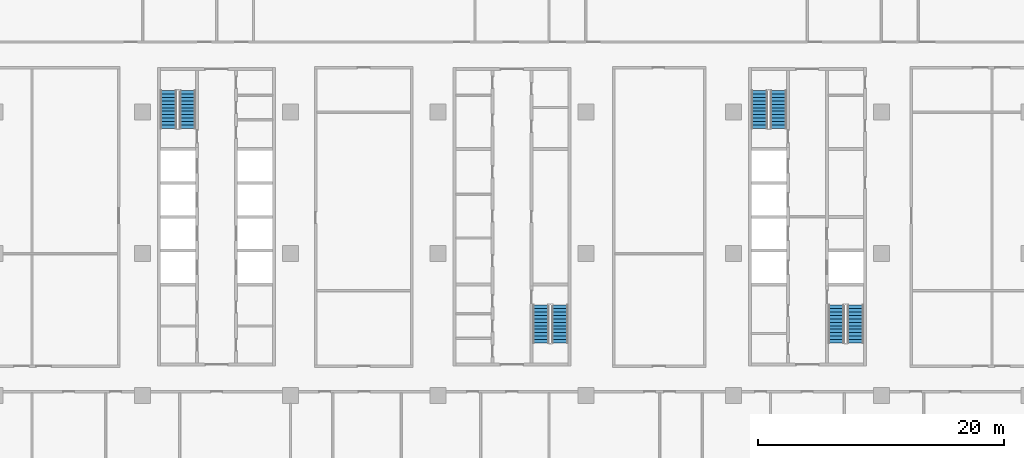
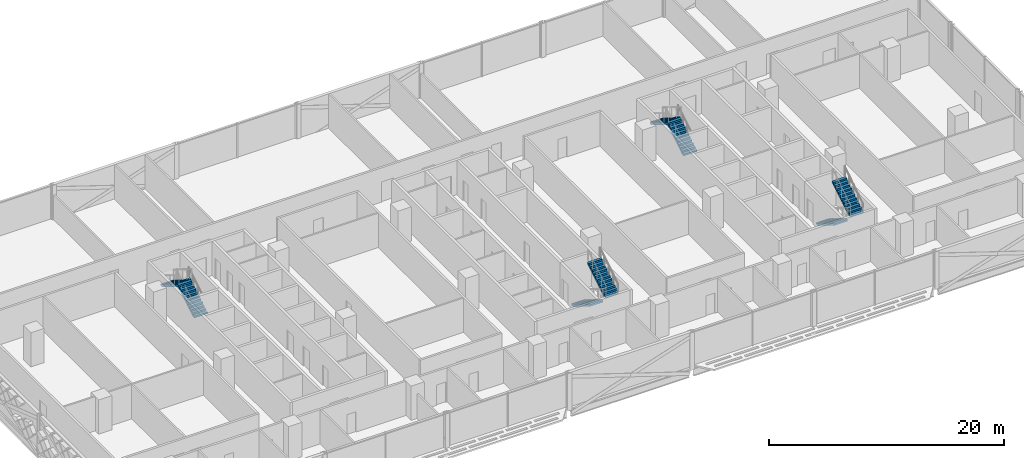
# One storey, part 19 of 29: 8 stair flights, 4 elements without a shape of their own.
"""IFC4 building model written with IfcOpenShell, lengths in metres."""

import ifcopenshell
import ifcopenshell.guid

model = None  # the IFC model being written
_history = None  # IfcOwnerHistory: only IFC2X3 demands one
_inside = {}  # id of a spatial element -> (the spatial element, [elements in it])
_under = {}  # id of a project, library or spatial element -> (it, [spatial elements below it])
_declared = {}  # id of a project -> (the project, [libraries it declares])
_typed = {}  # id of a type object -> (the type object, [elements of that type])
_made_of = {}  # id of a material, layer set ... -> (it, [elements and type objects made of it])


def new_model(schema):
    """Start an empty IFC model of exactly this schema.

    Asked for "IFC4X3", IfcOpenShell would pick the latest addendum, in which some entities
    have other attributes; the version numbers below select the first issue.
    IFC2X3 requires an IfcOwnerHistory on every rooted entity: one is made here for all.
    """
    global model, _history
    if schema == "IFC4X3":
        model = ifcopenshell.file(schema_version=(4, 3, 0, 0))
    else:
        model = ifcopenshell.file(schema=schema)
    _inside.clear()
    _under.clear()
    _declared.clear()
    _typed.clear()
    _made_of.clear()
    _history = None
    if model.schema == "IFC2X3":
        org = make("IfcOrganization", Name="unknown")
        user = make(
            "IfcPersonAndOrganization",
            ThePerson=make("IfcPerson", FamilyName="unknown"),
            TheOrganization=org,
        )
        app = make(
            "IfcApplication",
            ApplicationDeveloper=org,
            Version="unknown",
            ApplicationFullName="unknown",
            ApplicationIdentifier="unknown",
        )
        _history = make(
            "IfcOwnerHistory",
            OwningUser=user,
            OwningApplication=app,
            ChangeAction="ADDED",
            CreationDate=0,
        )
    return model


def make(cls, **values):
    """One entity of the class cls with the attributes given. An attribute that is None is left unset."""
    return model.create_entity(
        cls, **{name: value for name, value in values.items() if value is not None}
    )


def rooted(cls, **values):
    """An entity with a GlobalId (a new one), such as an element, a storey or a relation."""
    return make(cls, GlobalId=ifcopenshell.guid.new(), OwnerHistory=_history, **values)


def si_unit(unit_type, name, prefix=None):
    """IfcSIUnit, for example si_unit("LENGTHUNIT", "METRE", prefix="MILLI")."""
    return make("IfcSIUnit", UnitType=unit_type, Prefix=prefix, Name=name)


def assignment(units):
    """IfcUnitAssignment: the units of a project."""
    return None if units is None else make("IfcUnitAssignment", Units=units)


def point(xyz):
    """IfcCartesianPoint."""
    return None if xyz is None else make("IfcCartesianPoint", Coordinates=xyz)


def direction(xyz):
    """IfcDirection."""
    return None if xyz is None else make("IfcDirection", DirectionRatios=xyz)


def frame(location, z_axis=None, x_axis=None):
    """IfcAxis2Placement3D, a coordinate frame: its origin and axes. An axis left out is left unset."""
    return make(
        "IfcAxis2Placement3D",
        Location=point(location),
        Axis=direction(z_axis),
        RefDirection=direction(x_axis),
    )


def origin():
    """The frame at (0, 0, 0) with its axes left unset."""
    return frame((0.0, 0.0, 0.0))


def place(relative_to, where):
    """IfcLocalPlacement: puts the frame where relative to a parent placement (None: the world)."""
    return make(
        "IfcLocalPlacement", PlacementRelTo=relative_to, RelativePlacement=where
    )


def context(
    kind, dimensions, precision=None, world=None, true_north=None, identifier=None
):
    """IfcGeometricRepresentationContext, for example the 3D "Model" context."""
    return make(
        "IfcGeometricRepresentationContext",
        ContextIdentifier=identifier,
        ContextType=kind,
        CoordinateSpaceDimension=dimensions,
        Precision=precision,
        WorldCoordinateSystem=world,
        TrueNorth=true_north,
    )


def subcontext(parent, identifier, kind, view, scale=None):
    """IfcGeometricRepresentationSubContext, for example "Body" below "Model"."""
    return make(
        "IfcGeometricRepresentationSubContext",
        ContextIdentifier=identifier,
        ContextType=kind,
        ParentContext=parent,
        TargetScale=scale,
        TargetView=view,
    )


def project(units=None, contexts=None):
    """IfcProject with its units and contexts."""
    return rooted(
        "IfcProject",
        Name="project",
        RepresentationContexts=contexts,
        UnitsInContext=assignment(units),
    )


def spatial(cls, under=None, at=None, **own):
    """A site, building, storey or space (cls), placed at a placement, below another one or the project."""
    s = rooted(cls, ObjectPlacement=at, **own)
    if under is not None:
        _under.setdefault(under.id(), (under, []))[1].append(s)
    return s


def polyline(points):
    """IfcPolyline through the points."""
    return make("IfcPolyline", Points=[point(p) for p in points])


def outline(outer, holes=None, kind="AREA"):
    """IfcArbitraryClosedProfileDef: a profile drawn as a closed curve; with holes, ...WithVoids."""
    if holes is None:
        return make("IfcArbitraryClosedProfileDef", ProfileType=kind, OuterCurve=outer)
    return make(
        "IfcArbitraryProfileDefWithVoids",
        ProfileType=kind,
        OuterCurve=outer,
        InnerCurves=holes,
    )


def extrude(swept, where, along, depth):
    """IfcExtrudedAreaSolid: the profile swept, set in the frame where, extruded along a direction by depth."""
    return make(
        "IfcExtrudedAreaSolid",
        SweptArea=swept,
        Position=where,
        ExtrudedDirection=direction(along),
        Depth=depth,
    )


def shape(context_of_items, identifier, shape_type, items):
    """IfcShapeRepresentation: the items that make up one representation, for example the "Body"."""
    return make(
        "IfcShapeRepresentation",
        ContextOfItems=context_of_items,
        RepresentationIdentifier=identifier,
        RepresentationType=shape_type,
        Items=items,
    )


def material(Name=None, Category=None):
    """IfcMaterial."""
    return make("IfcMaterial", Name=Name, Category=Category)


def made_of(thing, what):
    """Note that an element or type object is made of a material, layer set ...; save() writes the relation."""
    if what is not None:
        _made_of.setdefault(what.id(), (what, []))[1].append(thing)
    return thing


def type_object(cls, material=None, **own):
    """A type object (cls), such as IfcWallType, which elements share."""
    return made_of(rooted(cls, **own), material)


def element(
    cls,
    number,
    at=None,
    inside=None,
    cuts=None,
    type_object=None,
    material=None,
    context=None,
    identifier="Body",
    shape_type=None,
    held_by="IfcProductDefinitionShape",
    body=None,
    shapes=None,
    **own,
):
    """One element of the class cls, such as IfcWall. Its Tag is "e" and its number.

    at: its placement. inside: the storey or other place that contains it. cuts: it is an
    opening in that element (IfcRelVoidsElement). A single representation is given by context,
    identifier, shape_type and body (its items); several are given by shapes. held_by: the class
    of the entity that holds the representations. save() writes the other relations.
    """
    e = rooted(cls, Tag="e%d" % number, ObjectPlacement=at, **own)
    if body is not None:
        shapes = [shape(context, identifier, shape_type, body)]
    if shapes is not None:
        e.Representation = make(held_by, Representations=shapes)
    if inside is not None:
        _inside.setdefault(inside.id(), (inside, []))[1].append(e)
    if cuts is not None:
        rooted(
            "IfcRelVoidsElement", RelatingBuildingElement=cuts, RelatedOpeningElement=e
        )
    if type_object is not None:
        _typed.setdefault(type_object.id(), (type_object, []))[1].append(e)
    return made_of(e, material)


def aggregate(whole, parts):
    """IfcRelAggregates: a whole, such as a stair, and the parts it consists of."""
    return rooted("IfcRelAggregates", RelatingObject=whole, RelatedObjects=parts)


def save(model, path):
    """Write the relations noted so far, then the file.

    IfcRelAggregates (storeys below a building ...), IfcRelContainedInSpatialStructure (elements
    in a storey), IfcRelDefinesByType, IfcRelAssociatesMaterial and IfcRelDeclares: one each for
    every whole, place, type object, material and project.
    """
    for whole, parts in _under.values():
        aggregate(whole, parts)
    for where, things in _inside.values():
        rooted(
            "IfcRelContainedInSpatialStructure",
            RelatedElements=things,
            RelatingStructure=where,
        )
    for kind, things in _typed.values():
        rooted("IfcRelDefinesByType", RelatedObjects=things, RelatingType=kind)
    for what, things in _made_of.values():
        rooted("IfcRelAssociatesMaterial", RelatedObjects=things, RelatingMaterial=what)
    for by, libraries in _declared.values():
        rooted("IfcRelDeclares", RelatingContext=by, RelatedDefinitions=libraries)
    model.write(path)


model = new_model("IFC4")

# Units and contexts
model_context = context("Model", 3, precision=1e-05, world=origin(), true_north=direction((0.0, 1.0)))
body_context = subcontext(model_context, "Body", "Model", "MODEL_VIEW")
ifc_project = project(units=[si_unit("LENGTHUNIT", "METRE"), si_unit("AREAUNIT", "SQUARE_METRE"), si_unit("VOLUMEUNIT", "CUBIC_METRE"), si_unit("PLANEANGLEUNIT", "RADIAN"), si_unit("MASSUNIT", "GRAM", prefix="KILO")], contexts=[model_context])

# Site, building, storey
site_placement = place(None, origin())
site = spatial("IfcSite", under=ifc_project, at=site_placement, CompositionType="ELEMENT")
building_placement = place(site_placement, origin())
building = spatial("IfcBuilding", under=site, at=building_placement, Name="Mahtab Terrace Research Tower", CompositionType="ELEMENT")
storey_placement = place(building_placement, frame((0.0, 0.0, 150.699951171875)))
storey = spatial("IfcBuildingStorey", under=building, at=storey_placement, Name="L35", CompositionType="ELEMENT", Elevation=150.699951171875)

# Stair, stair flights
ifc_material_1 = material(Name="Exit stair half-turn")
stair_type = type_object("IfcStairType", Name="Exit stair half-turn", PredefinedType="HALF_TURN_STAIR", material=ifc_material_1)
stair_1_placement = place(storey_placement, origin())
stair_1 = element("IfcStair", 1, at=stair_1_placement, inside=storey, type_object=stair_type, Name="L35 Protected exit stair ST1", PredefinedType="HALF_TURN_STAIR")
ifc_material_2 = material(Name="Concrete C40/50", Category="concrete")
stair_flight_type = type_object("IfcStairFlightType", Name="Exit stair flight 1300", PredefinedType="STRAIGHT", material=ifc_material_2)
stair_flight_1_placement = place(storey_placement, frame((-26.35009765625, 10.175048828125, 0.0), z_axis=(0.0, 0.0, 1.0), x_axis=(0.0, 1.0, 0.0)))
stair_flight_1 = element("IfcStairFlight", 2, at=stair_flight_1_placement, type_object=stair_flight_type, Name="ST1 flight 1", NumberOfRisers=12, NumberOfTreads=11, PredefinedType="STRAIGHT", RiserHeight=0.170833333, TreadLength=0.28, context=body_context, shape_type="SweptSolid", body=[
    extrude(outline(polyline([(0.0, 0.0), (0.0, 0.1708984375), (0.280029296875, 0.1708984375), (0.280029296875, 0.341552734375), (0.56005859375, 0.341552734375), (0.56005859375, 0.512451171875), (0.840087890625, 0.512451171875), (0.840087890625, 0.683349609375), (1.1201171875, 0.683349609375), (1.1201171875, 0.854248046875), (1.39990234375, 0.854248046875), (1.39990234375, 1.02490234375), (1.679931640625, 1.02490234375), (1.679931640625, 1.19580078125), (1.9599609375, 1.19580078125), (1.9599609375, 1.36669921875), (2.239990234375, 1.36669921875), (2.239990234375, 1.53759765625), (2.52001953125, 1.53759765625), (2.52001953125, 1.708251953125), (2.800048828125, 1.708251953125), (2.800048828125, 1.879150390625), (3.080078125, 1.879150390625), (3.080078125, 2.050048828125), (3.080078125, 1.70361328125), (0.287841796875, 0.0), (0.0, 0.0)])), frame((0.0, 0.64990234375, 0.0), z_axis=(0.0, -1.0, 0.0), x_axis=(1.0, 0.0, 0.0)), (0.0, 0.0, 1.0), 1.300048828125),
])
stair_flight_2_placement = place(storey_placement, frame((-27.89990234375, 13.2548828125, 2.050048828125), z_axis=(0.0, 0.0, 1.0), x_axis=(0.0, -1.0, 0.0)))
stair_flight_2 = element("IfcStairFlight", 3, at=stair_flight_2_placement, type_object=stair_flight_type, Name="ST1 flight 2", NumberOfRisers=12, NumberOfTreads=11, PredefinedType="STRAIGHT", RiserHeight=0.170833333, TreadLength=0.28, context=body_context, shape_type="SweptSolid", body=[
    extrude(outline(polyline([(0.0, 0.0), (0.0, 0.1708984375), (0.280029296875, 0.1708984375), (0.280029296875, 0.341552734375), (0.56005859375, 0.341552734375), (0.56005859375, 0.512451171875), (0.840087890625, 0.512451171875), (0.840087890625, 0.683349609375), (1.1201171875, 0.683349609375), (1.1201171875, 0.854248046875), (1.39990234375, 0.854248046875), (1.39990234375, 1.02490234375), (1.679931640625, 1.02490234375), (1.679931640625, 1.19580078125), (1.9599609375, 1.19580078125), (1.9599609375, 1.36669921875), (2.239990234375, 1.36669921875), (2.239990234375, 1.53759765625), (2.52001953125, 1.53759765625), (2.52001953125, 1.708251953125), (2.800048828125, 1.708251953125), (2.800048828125, 1.879150390625), (3.080078125, 1.879150390625), (3.080078125, 2.050048828125), (3.080078125, 1.70361328125), (0.287841796875, 0.0), (0.0, 0.0)])), frame((0.0, 0.64990234375, 0.0), z_axis=(0.0, -1.0, 0.0), x_axis=(1.0, 0.0, 0.0)), (0.0, 0.0, 1.0), 1.300048828125),
])
aggregate(stair_1, [stair_flight_1, stair_flight_2])

stair_2_placement = place(storey_placement, origin())
stair_2 = element("IfcStair", 4, at=stair_2_placement, inside=storey, type_object=stair_type, Name="L35 Protected exit stair ST2", PredefinedType="HALF_TURN_STAIR")
stair_flight_3_placement = place(storey_placement, frame((2.35009765625, -4.175048828125, 0.0), z_axis=(0.0, 0.0, 1.0), x_axis=(0.0, -1.0, 0.0)))
stair_flight_3 = element("IfcStairFlight", 5, at=stair_flight_3_placement, type_object=stair_flight_type, Name="ST2 flight 1", NumberOfRisers=12, NumberOfTreads=11, PredefinedType="STRAIGHT", RiserHeight=0.170833333, TreadLength=0.28, context=body_context, shape_type="SweptSolid", body=[
    extrude(outline(polyline([(0.0, 0.0), (0.0, 0.1708984375), (0.280029296875, 0.1708984375), (0.280029296875, 0.341552734375), (0.56005859375, 0.341552734375), (0.56005859375, 0.512451171875), (0.840087890625, 0.512451171875), (0.840087890625, 0.683349609375), (1.1201171875, 0.683349609375), (1.1201171875, 0.854248046875), (1.39990234375, 0.854248046875), (1.39990234375, 1.02490234375), (1.679931640625, 1.02490234375), (1.679931640625, 1.19580078125), (1.9599609375, 1.19580078125), (1.9599609375, 1.36669921875), (2.239990234375, 1.36669921875), (2.239990234375, 1.53759765625), (2.52001953125, 1.53759765625), (2.52001953125, 1.708251953125), (2.800048828125, 1.708251953125), (2.800048828125, 1.879150390625), (3.080078125, 1.879150390625), (3.080078125, 2.050048828125), (3.080078125, 1.70361328125), (0.287841796875, 0.0), (0.0, 0.0)])), frame((0.0, 0.64990234375, 0.0), z_axis=(0.0, -1.0, 0.0), x_axis=(1.0, 0.0, 0.0)), (0.0, 0.0, 1.0), 1.300048828125),
])
stair_flight_4_placement = place(storey_placement, frame((3.89990234375, -7.2548828125, 2.050048828125), z_axis=(0.0, 0.0, 1.0), x_axis=(0.0, 1.0, 0.0)))
stair_flight_4 = element("IfcStairFlight", 6, at=stair_flight_4_placement, type_object=stair_flight_type, Name="ST2 flight 2", NumberOfRisers=12, NumberOfTreads=11, PredefinedType="STRAIGHT", RiserHeight=0.170833333, TreadLength=0.28, context=body_context, shape_type="SweptSolid", body=[
    extrude(outline(polyline([(0.0, 0.0), (0.0, 0.1708984375), (0.280029296875, 0.1708984375), (0.280029296875, 0.341552734375), (0.56005859375, 0.341552734375), (0.56005859375, 0.512451171875), (0.840087890625, 0.512451171875), (0.840087890625, 0.683349609375), (1.1201171875, 0.683349609375), (1.1201171875, 0.854248046875), (1.39990234375, 0.854248046875), (1.39990234375, 1.02490234375), (1.679931640625, 1.02490234375), (1.679931640625, 1.19580078125), (1.9599609375, 1.19580078125), (1.9599609375, 1.36669921875), (2.239990234375, 1.36669921875), (2.239990234375, 1.53759765625), (2.52001953125, 1.53759765625), (2.52001953125, 1.708251953125), (2.800048828125, 1.708251953125), (2.800048828125, 1.879150390625), (3.080078125, 1.879150390625), (3.080078125, 2.050048828125), (3.080078125, 1.70361328125), (0.287841796875, 0.0), (0.0, 0.0)])), frame((0.0, 0.64990234375, 0.0), z_axis=(0.0, -1.0, 0.0), x_axis=(1.0, 0.0, 0.0)), (0.0, 0.0, 1.0), 1.300048828125),
])
aggregate(stair_2, [stair_flight_3, stair_flight_4])

stair_3_placement = place(storey_placement, origin())
stair_3 = element("IfcStair", 7, at=stair_3_placement, inside=storey, type_object=stair_type, Name="L35 Protected exit stair ST3", PredefinedType="HALF_TURN_STAIR")
stair_flight_5_placement = place(storey_placement, frame((21.64990234375, 10.175048828125, 0.0), z_axis=(0.0, 0.0, 1.0), x_axis=(0.0, 1.0, 0.0)))
stair_flight_5 = element("IfcStairFlight", 8, at=stair_flight_5_placement, type_object=stair_flight_type, Name="ST3 flight 1", NumberOfRisers=12, NumberOfTreads=11, PredefinedType="STRAIGHT", RiserHeight=0.170833333, TreadLength=0.28, context=body_context, shape_type="SweptSolid", body=[
    extrude(outline(polyline([(0.0, 0.0), (0.0, 0.1708984375), (0.280029296875, 0.1708984375), (0.280029296875, 0.341552734375), (0.56005859375, 0.341552734375), (0.56005859375, 0.512451171875), (0.840087890625, 0.512451171875), (0.840087890625, 0.683349609375), (1.1201171875, 0.683349609375), (1.1201171875, 0.854248046875), (1.39990234375, 0.854248046875), (1.39990234375, 1.02490234375), (1.679931640625, 1.02490234375), (1.679931640625, 1.19580078125), (1.9599609375, 1.19580078125), (1.9599609375, 1.36669921875), (2.239990234375, 1.36669921875), (2.239990234375, 1.53759765625), (2.52001953125, 1.53759765625), (2.52001953125, 1.708251953125), (2.800048828125, 1.708251953125), (2.800048828125, 1.879150390625), (3.080078125, 1.879150390625), (3.080078125, 2.050048828125), (3.080078125, 1.70361328125), (0.287841796875, 0.0), (0.0, 0.0)])), frame((0.0, 0.64990234375, 0.0), z_axis=(0.0, -1.0, 0.0), x_axis=(1.0, 0.0, 0.0)), (0.0, 0.0, 1.0), 1.300048828125),
])
stair_flight_6_placement = place(storey_placement, frame((20.10009765625, 13.2548828125, 2.050048828125), z_axis=(0.0, 0.0, 1.0), x_axis=(0.0, -1.0, 0.0)))
stair_flight_6 = element("IfcStairFlight", 9, at=stair_flight_6_placement, type_object=stair_flight_type, Name="ST3 flight 2", NumberOfRisers=12, NumberOfTreads=11, PredefinedType="STRAIGHT", RiserHeight=0.170833333, TreadLength=0.28, context=body_context, shape_type="SweptSolid", body=[
    extrude(outline(polyline([(0.0, 0.0), (0.0, 0.1708984375), (0.280029296875, 0.1708984375), (0.280029296875, 0.341552734375), (0.56005859375, 0.341552734375), (0.56005859375, 0.512451171875), (0.840087890625, 0.512451171875), (0.840087890625, 0.683349609375), (1.1201171875, 0.683349609375), (1.1201171875, 0.854248046875), (1.39990234375, 0.854248046875), (1.39990234375, 1.02490234375), (1.679931640625, 1.02490234375), (1.679931640625, 1.19580078125), (1.9599609375, 1.19580078125), (1.9599609375, 1.36669921875), (2.239990234375, 1.36669921875), (2.239990234375, 1.53759765625), (2.52001953125, 1.53759765625), (2.52001953125, 1.708251953125), (2.800048828125, 1.708251953125), (2.800048828125, 1.879150390625), (3.080078125, 1.879150390625), (3.080078125, 2.050048828125), (3.080078125, 1.70361328125), (0.287841796875, 0.0), (0.0, 0.0)])), frame((0.0, 0.64990234375, 0.0), z_axis=(0.0, -1.0, 0.0), x_axis=(1.0, 0.0, 0.0)), (0.0, 0.0, 1.0), 1.300048828125),
])
aggregate(stair_3, [stair_flight_5, stair_flight_6])

stair_4_placement = place(storey_placement, origin())
stair_4 = element("IfcStair", 10, at=stair_4_placement, inside=storey, type_object=stair_type, Name="L35 Protected exit stair ST4", PredefinedType="HALF_TURN_STAIR")
stair_flight_7_placement = place(storey_placement, frame((26.35009765625, -4.175048828125, 0.0), z_axis=(0.0, 0.0, 1.0), x_axis=(0.0, -1.0, 0.0)))
stair_flight_7 = element("IfcStairFlight", 11, at=stair_flight_7_placement, type_object=stair_flight_type, Name="ST4 flight 1", NumberOfRisers=12, NumberOfTreads=11, PredefinedType="STRAIGHT", RiserHeight=0.170833333, TreadLength=0.28, context=body_context, shape_type="SweptSolid", body=[
    extrude(outline(polyline([(0.0, 0.0), (0.0, 0.1708984375), (0.280029296875, 0.1708984375), (0.280029296875, 0.341552734375), (0.56005859375, 0.341552734375), (0.56005859375, 0.512451171875), (0.840087890625, 0.512451171875), (0.840087890625, 0.683349609375), (1.1201171875, 0.683349609375), (1.1201171875, 0.854248046875), (1.39990234375, 0.854248046875), (1.39990234375, 1.02490234375), (1.679931640625, 1.02490234375), (1.679931640625, 1.19580078125), (1.9599609375, 1.19580078125), (1.9599609375, 1.36669921875), (2.239990234375, 1.36669921875), (2.239990234375, 1.53759765625), (2.52001953125, 1.53759765625), (2.52001953125, 1.708251953125), (2.800048828125, 1.708251953125), (2.800048828125, 1.879150390625), (3.080078125, 1.879150390625), (3.080078125, 2.050048828125), (3.080078125, 1.70361328125), (0.287841796875, 0.0), (0.0, 0.0)])), frame((0.0, 0.64990234375, 0.0), z_axis=(0.0, -1.0, 0.0), x_axis=(1.0, 0.0, 0.0)), (0.0, 0.0, 1.0), 1.300048828125),
])
stair_flight_8_placement = place(storey_placement, frame((27.89990234375, -7.2548828125, 2.050048828125), z_axis=(0.0, 0.0, 1.0), x_axis=(0.0, 1.0, 0.0)))
stair_flight_8 = element("IfcStairFlight", 12, at=stair_flight_8_placement, type_object=stair_flight_type, Name="ST4 flight 2", NumberOfRisers=12, NumberOfTreads=11, PredefinedType="STRAIGHT", RiserHeight=0.170833333, TreadLength=0.28, context=body_context, shape_type="SweptSolid", body=[
    extrude(outline(polyline([(0.0, 0.0), (0.0, 0.1708984375), (0.280029296875, 0.1708984375), (0.280029296875, 0.341552734375), (0.56005859375, 0.341552734375), (0.56005859375, 0.512451171875), (0.840087890625, 0.512451171875), (0.840087890625, 0.683349609375), (1.1201171875, 0.683349609375), (1.1201171875, 0.854248046875), (1.39990234375, 0.854248046875), (1.39990234375, 1.02490234375), (1.679931640625, 1.02490234375), (1.679931640625, 1.19580078125), (1.9599609375, 1.19580078125), (1.9599609375, 1.36669921875), (2.239990234375, 1.36669921875), (2.239990234375, 1.53759765625), (2.52001953125, 1.53759765625), (2.52001953125, 1.708251953125), (2.800048828125, 1.708251953125), (2.800048828125, 1.879150390625), (3.080078125, 1.879150390625), (3.080078125, 2.050048828125), (3.080078125, 1.70361328125), (0.287841796875, 0.0), (0.0, 0.0)])), frame((0.0, 0.64990234375, 0.0), z_axis=(0.0, -1.0, 0.0), x_axis=(1.0, 0.0, 0.0)), (0.0, 0.0, 1.0), 1.300048828125),
])
aggregate(stair_4, [stair_flight_7, stair_flight_8])

save(model, "model.ifc")
